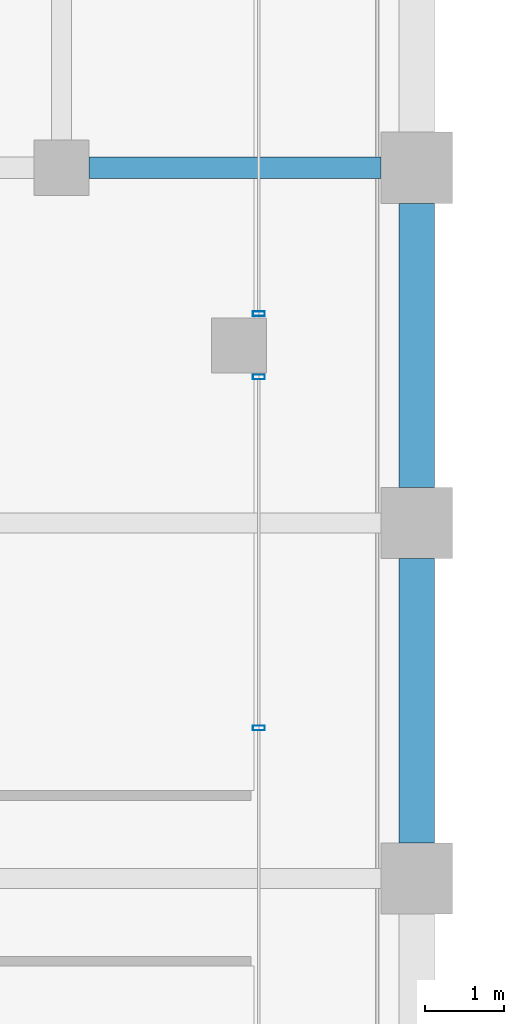
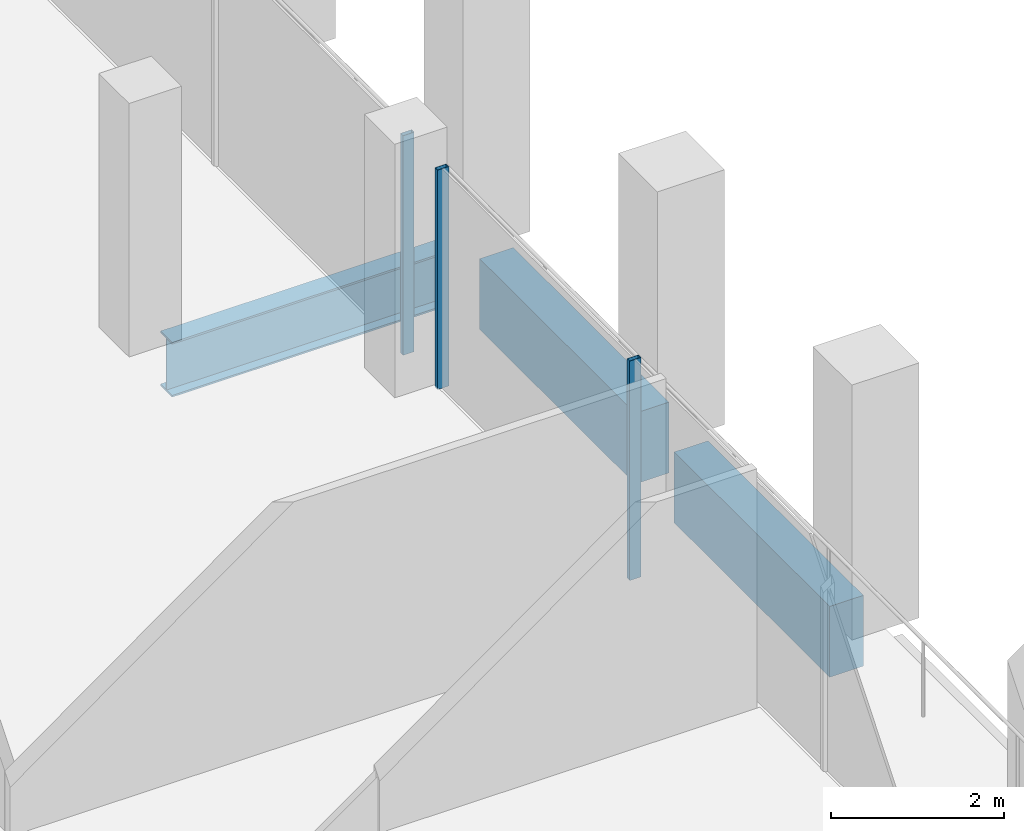
# One storey, part 19 of 40: 3 beams, 3 members, 2 elements without a shape of their own.
"""IFC4 building model written with IfcOpenShell, lengths in metres."""

from ifc_helpers import new_model, si_unit, direction, frame, origin, origin_2d, place, context, subcontext, project, spatial, rectangle, hollow_rectangle, i_section, extrude, material, material_profile, profile_set, type_object, element, aggregate, save


model = new_model("IFC4")

# Units and contexts
model_context = context("Model", 3, precision=1e-05, world=origin(), true_north=direction((0.0, 1.0)))
body_context = subcontext(model_context, "Body", "Model", "MODEL_VIEW")
ifc_project = project(units=[si_unit("LENGTHUNIT", "METRE"), si_unit("AREAUNIT", "SQUARE_METRE"), si_unit("VOLUMEUNIT", "CUBIC_METRE"), si_unit("PLANEANGLEUNIT", "RADIAN"), si_unit("MASSUNIT", "GRAM", prefix="KILO")], contexts=[model_context])

# Site, building, storey
site_placement = place(None, origin())
site = spatial("IfcSite", under=ifc_project, at=site_placement, CompositionType="ELEMENT")
building_placement = place(site_placement, origin())
building = spatial("IfcBuilding", under=site, at=building_placement, Name="Altepetl Exchange Towers", CompositionType="ELEMENT")
storey_placement = place(building_placement, frame((0.0, 0.0, 187.0)))
storey = spatial("IfcBuildingStorey", under=building, at=storey_placement, Name="L47", CompositionType="ELEMENT", Elevation=187.0)

# Beam
ifc_material_1 = material(Name="Steel S355", Category="steel")
ifc_material_profile_1 = material_profile(ifc_material_1, i_section(OverallWidth=0.26806640625, OverallDepth=0.77392578125, WebThickness=0.015380859375, FlangeThickness=0.025390625, at=origin_2d()), Name="W30X132")
ifc_profile_set_1 = profile_set([ifc_material_profile_1], Name="Steel S355")
beam_type_1 = type_object("IfcBeamType", Name="Girder W30X132", PredefinedType="BEAM", material=ifc_profile_set_1)
beam_placement = place(storey_placement, frame((67.85009765625, 58.5, -0.537109375), z_axis=(1.0, 0.0, 0.0), x_axis=(0.0, 1.0, 0.0)))
element("IfcBeam", 1, at=beam_placement, inside=storey, type_object=beam_type_1, Name="gd:A:L47:002", PredefinedType="BEAM", context=body_context, shape_type="SweptSolid", body=[
    extrude(i_section(OverallWidth=0.26806640625, OverallDepth=0.77392578125, WebThickness=0.015380859375, FlangeThickness=0.025390625, at=origin_2d()), origin(), (0.0, 0.0, 1.0), 3.699951171875),
])

# Curtain wall, members
ifc_material_2 = material(Name="Aluminium 6063-T6 glazing", Category="aluminium")
curtain_wall_type = type_object("IfcCurtainWallType", Name="Loggia glazing system", PredefinedType="NOTDEFINED", material=ifc_material_2)
curtain_wall_1_placement = place(storey_placement, origin())
curtain_wall_1 = element("IfcCurtainWall", 2, at=curtain_wall_1_placement, inside=storey, type_object=curtain_wall_type, Name="CW1 run", PredefinedType="NOTDEFINED")
ifc_material_3 = material(Name="Aluminium 6063-T6", Category="aluminium")
ifc_material_profile_2 = material_profile(ifc_material_3, hollow_rectangle(XDim=0.06005859375, YDim=0.14990234375, WallThickness=0.0029296875, at=origin_2d()), Name="Mullion 60x150 aluminium")
ifc_profile_set_2 = profile_set([ifc_material_profile_2], Name="Aluminium 6063-T6")
member_type = type_object("IfcMemberType", Name="Mullion 60x150 aluminium", PredefinedType="MULLION", material=ifc_profile_set_2)
member_1_placement = place(storey_placement, frame((70.0, 51.404052734375, 0.0), z_axis=(0.0, 0.0, 1.0), x_axis=(0.0, 1.0, 0.0)))
member_1 = element("IfcMember", 3, at=member_1_placement, type_object=member_type, Name="MU1 mullion", PredefinedType="MULLION", context=body_context, shape_type="SweptSolid", body=[
    extrude(hollow_rectangle(XDim=0.06005859375, YDim=0.14990234375, WallThickness=0.0029296875, at=origin_2d()), origin(), (0.0, 0.0, 1.0), 3.10009765625),
])
member_2_placement = place(storey_placement, frame((70.0, 55.85009765625, 0.0), z_axis=(0.0, 0.0, 1.0), x_axis=(0.0, 1.0, 0.0)))
member_2 = element("IfcMember", 4, at=member_2_placement, type_object=member_type, Name="MU1 mullion", PredefinedType="MULLION", context=body_context, shape_type="SweptSolid", body=[
    extrude(hollow_rectangle(XDim=0.06005859375, YDim=0.14990234375, WallThickness=0.0029296875, at=origin_2d()), origin(), (0.0, 0.0, 1.0), 3.10009765625),
])
aggregate(curtain_wall_1, [member_1, member_2])

# Curtain wall, member
curtain_wall_2_placement = place(storey_placement, origin())
curtain_wall_2 = element("IfcCurtainWall", 5, at=curtain_wall_2_placement, inside=storey, type_object=curtain_wall_type, Name="CW1 run", PredefinedType="NOTDEFINED")
member_3_placement = place(storey_placement, frame((70.0, 56.64990234375, 0.0), z_axis=(0.0, 0.0, 1.0), x_axis=(0.0, 1.0, 0.0)))
member_3 = element("IfcMember", 6, at=member_3_placement, type_object=member_type, Name="MU1 mullion", PredefinedType="MULLION", context=body_context, shape_type="SweptSolid", body=[
    extrude(hollow_rectangle(XDim=0.06005859375, YDim=0.14990234375, WallThickness=0.0029296875, at=origin_2d()), origin(), (0.0, 0.0, 1.0), 3.10009765625),
])
aggregate(curtain_wall_2, [member_3])

# Beams
ifc_material_4 = material(Name="Concrete C50/60 precast with cantera amarilla facing", Category="concrete")
ifc_material_profile_3 = material_profile(ifc_material_4, rectangle(XDim=0.449951171875, YDim=1.0, at=origin_2d()), Name="450 x 1000")
ifc_profile_set_3 = profile_set([ifc_material_profile_3], Name="Concrete C50/60 precast with cantera amarilla facing")
beam_type_2 = type_object("IfcBeamType", Name="Spandrel beam 450x1000 cantera amarilla", PredefinedType="SPANDREL", material=ifc_profile_set_3)
for number, where, z_axis, x_axis, name in (
    (7, (72.0, 49.949951171875, -0.64990234375), (0.0, 1.0, 0.0), (-1.0, 0.0, 0.0), "sp:A:L47:016"),
    (8, (72.0, 54.449951171875, -0.64990234375), (0.0, 1.0, 0.0), (-1.0, 0.0, 0.0), "sp:A:L47:017"),
):
    element("IfcBeam", number, at=place(storey_placement, frame(where, z_axis=z_axis, x_axis=x_axis)), inside=storey, type_object=beam_type_2, Name=name, PredefinedType="SPANDREL", context=body_context, shape_type="SweptSolid", body=[
        extrude(rectangle(XDim=0.449951171875, YDim=1.0, at=origin_2d()), origin(), (0.0, 0.0, 1.0), 3.60009765625),
    ])

save(model, "model.ifc")
